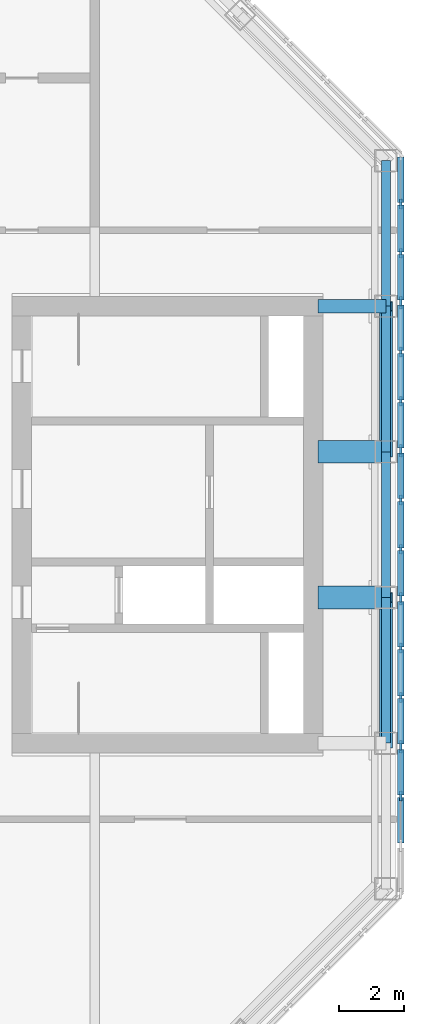
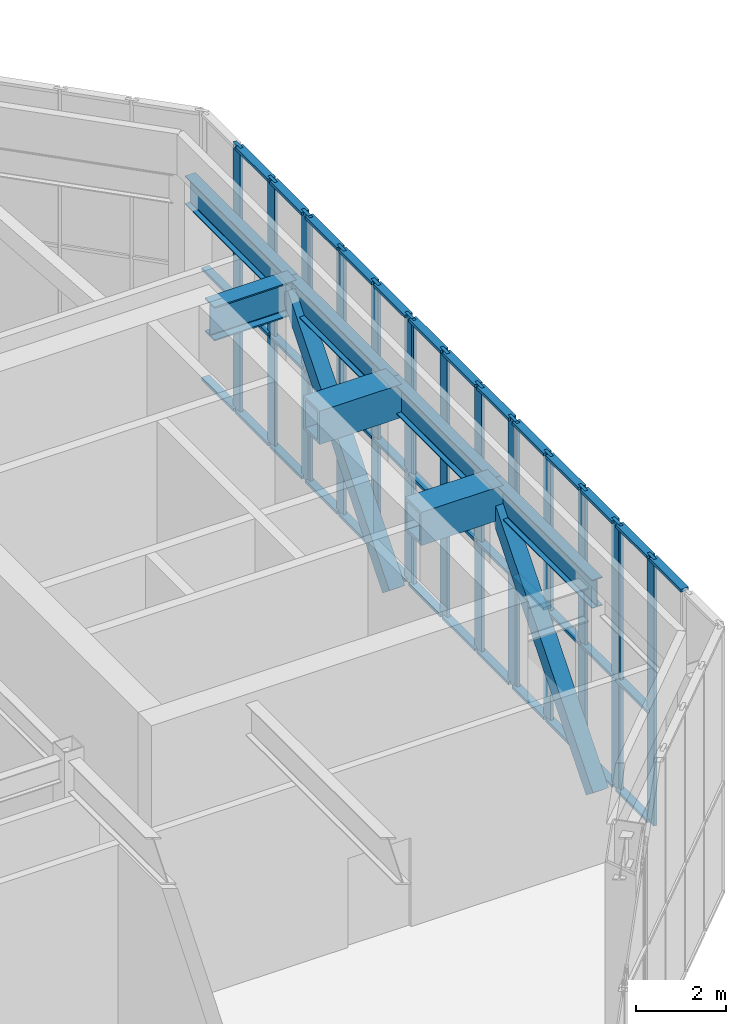
# One storey, part 6 of 15: 58 members, 7 beams, 5 elements without a shape of their own.
"""IFC4 building model written with IfcOpenShell, lengths in metres."""

import ifcopenshell
import ifcopenshell.guid

model = None  # the IFC model being written
_history = None  # IfcOwnerHistory: only IFC2X3 demands one
_inside = {}  # id of a spatial element -> (the spatial element, [elements in it])
_under = {}  # id of a project, library or spatial element -> (it, [spatial elements below it])
_declared = {}  # id of a project -> (the project, [libraries it declares])
_typed = {}  # id of a type object -> (the type object, [elements of that type])
_made_of = {}  # id of a material, layer set ... -> (it, [elements and type objects made of it])


def new_model(schema):
    """Start an empty IFC model of exactly this schema.

    Asked for "IFC4X3", IfcOpenShell would pick the latest addendum, in which some entities
    have other attributes; the version numbers below select the first issue.
    IFC2X3 requires an IfcOwnerHistory on every rooted entity: one is made here for all.
    """
    global model, _history
    if schema == "IFC4X3":
        model = ifcopenshell.file(schema_version=(4, 3, 0, 0))
    else:
        model = ifcopenshell.file(schema=schema)
    _inside.clear()
    _under.clear()
    _declared.clear()
    _typed.clear()
    _made_of.clear()
    _history = None
    if model.schema == "IFC2X3":
        org = make("IfcOrganization", Name="unknown")
        user = make(
            "IfcPersonAndOrganization",
            ThePerson=make("IfcPerson", FamilyName="unknown"),
            TheOrganization=org,
        )
        app = make(
            "IfcApplication",
            ApplicationDeveloper=org,
            Version="unknown",
            ApplicationFullName="unknown",
            ApplicationIdentifier="unknown",
        )
        _history = make(
            "IfcOwnerHistory",
            OwningUser=user,
            OwningApplication=app,
            ChangeAction="ADDED",
            CreationDate=0,
        )
    return model


def make(cls, **values):
    """One entity of the class cls with the attributes given. An attribute that is None is left unset."""
    return model.create_entity(
        cls, **{name: value for name, value in values.items() if value is not None}
    )


def rooted(cls, **values):
    """An entity with a GlobalId (a new one), such as an element, a storey or a relation."""
    return make(cls, GlobalId=ifcopenshell.guid.new(), OwnerHistory=_history, **values)


def si_unit(unit_type, name, prefix=None):
    """IfcSIUnit, for example si_unit("LENGTHUNIT", "METRE", prefix="MILLI")."""
    return make("IfcSIUnit", UnitType=unit_type, Prefix=prefix, Name=name)


def assignment(units):
    """IfcUnitAssignment: the units of a project."""
    return None if units is None else make("IfcUnitAssignment", Units=units)


def point(xyz):
    """IfcCartesianPoint."""
    return None if xyz is None else make("IfcCartesianPoint", Coordinates=xyz)


def direction(xyz):
    """IfcDirection."""
    return None if xyz is None else make("IfcDirection", DirectionRatios=xyz)


def frame(location, z_axis=None, x_axis=None):
    """IfcAxis2Placement3D, a coordinate frame: its origin and axes. An axis left out is left unset."""
    return make(
        "IfcAxis2Placement3D",
        Location=point(location),
        Axis=direction(z_axis),
        RefDirection=direction(x_axis),
    )


def frame_2d(location, x_axis=None):
    """IfcAxis2Placement2D, a coordinate frame in the plane: its origin and x axis."""
    return make(
        "IfcAxis2Placement2D", Location=point(location), RefDirection=direction(x_axis)
    )


def origin():
    """The frame at (0, 0, 0) with its axes left unset."""
    return frame((0.0, 0.0, 0.0))


def origin_2d():
    """The frame at (0, 0) in the plane with its x axis left unset."""
    return frame_2d((0.0, 0.0))


def place(relative_to, where):
    """IfcLocalPlacement: puts the frame where relative to a parent placement (None: the world)."""
    return make(
        "IfcLocalPlacement", PlacementRelTo=relative_to, RelativePlacement=where
    )


def context(
    kind, dimensions, precision=None, world=None, true_north=None, identifier=None
):
    """IfcGeometricRepresentationContext, for example the 3D "Model" context."""
    return make(
        "IfcGeometricRepresentationContext",
        ContextIdentifier=identifier,
        ContextType=kind,
        CoordinateSpaceDimension=dimensions,
        Precision=precision,
        WorldCoordinateSystem=world,
        TrueNorth=true_north,
    )


def subcontext(parent, identifier, kind, view, scale=None):
    """IfcGeometricRepresentationSubContext, for example "Body" below "Model"."""
    return make(
        "IfcGeometricRepresentationSubContext",
        ContextIdentifier=identifier,
        ContextType=kind,
        ParentContext=parent,
        TargetScale=scale,
        TargetView=view,
    )


def project(units=None, contexts=None):
    """IfcProject with its units and contexts."""
    return rooted(
        "IfcProject",
        Name="project",
        RepresentationContexts=contexts,
        UnitsInContext=assignment(units),
    )


def spatial(cls, under=None, at=None, **own):
    """A site, building, storey or space (cls), placed at a placement, below another one or the project."""
    s = rooted(cls, ObjectPlacement=at, **own)
    if under is not None:
        _under.setdefault(under.id(), (under, []))[1].append(s)
    return s


def profile(cls, at=None, kind="AREA", **sizes):
    """A parametric profile (cls). Its sizes go by their IFC names, for example OverallWidth=200.0."""
    return make(cls, ProfileType=kind, Position=at, **sizes)


def rectangle(**sizes):
    """IfcRectangleProfileDef."""
    return profile("IfcRectangleProfileDef", **sizes)


def hollow_rectangle(**sizes):
    """IfcRectangleHollowProfileDef."""
    return profile("IfcRectangleHollowProfileDef", **sizes)


def i_section(**sizes):
    """IfcIShapeProfileDef."""
    return profile("IfcIShapeProfileDef", **sizes)


def extrude(swept, where, along, depth):
    """IfcExtrudedAreaSolid: the profile swept, set in the frame where, extruded along a direction by depth."""
    return make(
        "IfcExtrudedAreaSolid",
        SweptArea=swept,
        Position=where,
        ExtrudedDirection=direction(along),
        Depth=depth,
    )


def shape(context_of_items, identifier, shape_type, items):
    """IfcShapeRepresentation: the items that make up one representation, for example the "Body"."""
    return make(
        "IfcShapeRepresentation",
        ContextOfItems=context_of_items,
        RepresentationIdentifier=identifier,
        RepresentationType=shape_type,
        Items=items,
    )


def material(Name=None, Category=None):
    """IfcMaterial."""
    return make("IfcMaterial", Name=Name, Category=Category)


def material_profile(
    of_material, cross_section, Name=None, Category=None, Priority=None
):
    """IfcMaterialProfile: a cross section and its material."""
    return make(
        "IfcMaterialProfile",
        Name=Name,
        Material=of_material,
        Profile=cross_section,
        Priority=Priority,
        Category=Category,
    )


def profile_set(profiles, Name=None, composite=None):
    """IfcMaterialProfileSet."""
    return make(
        "IfcMaterialProfileSet",
        Name=Name,
        MaterialProfiles=profiles,
        CompositeProfile=composite,
    )


def made_of(thing, what):
    """Note that an element or type object is made of a material, layer set ...; save() writes the relation."""
    if what is not None:
        _made_of.setdefault(what.id(), (what, []))[1].append(thing)
    return thing


def type_object(cls, material=None, **own):
    """A type object (cls), such as IfcWallType, which elements share."""
    return made_of(rooted(cls, **own), material)


def element(
    cls,
    number,
    at=None,
    inside=None,
    cuts=None,
    type_object=None,
    material=None,
    context=None,
    identifier="Body",
    shape_type=None,
    held_by="IfcProductDefinitionShape",
    body=None,
    shapes=None,
    **own,
):
    """One element of the class cls, such as IfcWall. Its Tag is "e" and its number.

    at: its placement. inside: the storey or other place that contains it. cuts: it is an
    opening in that element (IfcRelVoidsElement). A single representation is given by context,
    identifier, shape_type and body (its items); several are given by shapes. held_by: the class
    of the entity that holds the representations. save() writes the other relations.
    """
    e = rooted(cls, Tag="e%d" % number, ObjectPlacement=at, **own)
    if body is not None:
        shapes = [shape(context, identifier, shape_type, body)]
    if shapes is not None:
        e.Representation = make(held_by, Representations=shapes)
    if inside is not None:
        _inside.setdefault(inside.id(), (inside, []))[1].append(e)
    if cuts is not None:
        rooted(
            "IfcRelVoidsElement", RelatingBuildingElement=cuts, RelatedOpeningElement=e
        )
    if type_object is not None:
        _typed.setdefault(type_object.id(), (type_object, []))[1].append(e)
    return made_of(e, material)


def aggregate(whole, parts):
    """IfcRelAggregates: a whole, such as a stair, and the parts it consists of."""
    return rooted("IfcRelAggregates", RelatingObject=whole, RelatedObjects=parts)


def save(model, path):
    """Write the relations noted so far, then the file.

    IfcRelAggregates (storeys below a building ...), IfcRelContainedInSpatialStructure (elements
    in a storey), IfcRelDefinesByType, IfcRelAssociatesMaterial and IfcRelDeclares: one each for
    every whole, place, type object, material and project.
    """
    for whole, parts in _under.values():
        aggregate(whole, parts)
    for where, things in _inside.values():
        rooted(
            "IfcRelContainedInSpatialStructure",
            RelatedElements=things,
            RelatingStructure=where,
        )
    for kind, things in _typed.values():
        rooted("IfcRelDefinesByType", RelatedObjects=things, RelatingType=kind)
    for what, things in _made_of.values():
        rooted("IfcRelAssociatesMaterial", RelatedObjects=things, RelatingMaterial=what)
    for by, libraries in _declared.values():
        rooted("IfcRelDeclares", RelatingContext=by, RelatedDefinitions=libraries)
    model.write(path)


model = new_model("IFC4")

# Units and contexts
model_context = context("Model", 3, precision=1e-05, world=origin(), true_north=direction((0.0, 1.0)))
body_context = subcontext(model_context, "Body", "Model", "MODEL_VIEW")
ifc_project = project(units=[si_unit("LENGTHUNIT", "METRE"), si_unit("AREAUNIT", "SQUARE_METRE"), si_unit("VOLUMEUNIT", "CUBIC_METRE"), si_unit("PLANEANGLEUNIT", "RADIAN"), si_unit("MASSUNIT", "GRAM", prefix="KILO")], contexts=[model_context])

# Site, building, storey
site_placement = place(None, origin())
site = spatial("IfcSite", under=ifc_project, at=site_placement, CompositionType="ELEMENT")
building_placement = place(site_placement, origin())
building = spatial("IfcBuilding", under=site, at=building_placement, Name="Msasa Ring Tower", CompositionType="ELEMENT")
storey_placement = place(building_placement, frame((0.0, 0.0, 268.050048828125)))
storey = spatial("IfcBuildingStorey", under=building, at=storey_placement, Name="L69", CompositionType="ELEMENT", Elevation=268.050048828125)

# Curtain wall, members
ifc_material_1 = material(Name="Aluminium curtain wall with clear glass", Category="aluminium")
curtain_wall_type_1 = type_object("IfcCurtainWallType", Name="CW-L LANTERN CURTAIN WALL", PredefinedType="NOTDEFINED", material=ifc_material_1)
curtain_wall_1_placement = place(storey_placement, origin())
curtain_wall_1 = element("IfcCurtainWall", 1, at=curtain_wall_1_placement, inside=storey, type_object=curtain_wall_type_1, Name="Lantern curtain wall E2 L69", PredefinedType="NOTDEFINED")
ifc_material_2 = material(Name="Aluminium mullion", Category="aluminium")
ifc_material_profile_1 = material_profile(ifc_material_2, rectangle(XDim=0.080078125, YDim=0.300048828125, at=origin_2d()), Name="AL 80x300")
ifc_profile_set_1 = profile_set([ifc_material_profile_1], Name="Aluminium mullion")
member_type_1 = type_object("IfcMemberType", Name="CW-L MULLION 80x300", PredefinedType="MULLION", material=ifc_profile_set_1)
member_1_placement = place(storey_placement, frame((20.699951171875, -8.38671875, 0.0), z_axis=(0.0, 0.0, 1.0), x_axis=(-1.0, 0.0, 0.0)))
member_1 = element("IfcMember", 2, at=member_1_placement, type_object=member_type_1, Name="CW-L mullion 2", PredefinedType="MULLION", context=body_context, shape_type="SweptSolid", body=[
    extrude(rectangle(XDim=0.080078125, YDim=0.300048828125, at=origin_2d()), origin(), (0.0, 0.0, 1.0), 7.199951171875),
])
member_2_placement = place(storey_placement, frame((20.699951171875, -6.90185546875, 0.0), z_axis=(0.0, 0.0, 1.0), x_axis=(-1.0, 0.0, 0.0)))
member_2 = element("IfcMember", 3, at=member_2_placement, type_object=member_type_1, Name="CW-L mullion 3", PredefinedType="MULLION", context=body_context, shape_type="SweptSolid", body=[
    extrude(rectangle(XDim=0.080078125, YDim=0.300048828125, at=origin_2d()), origin(), (0.0, 0.0, 1.0), 7.199951171875),
])

curtain_wall_2_placement = place(storey_placement, origin())
curtain_wall_2 = element("IfcCurtainWall", 4, at=curtain_wall_2_placement, inside=storey, type_object=curtain_wall_type_1, Name="Lantern curtain wall E4 L69", PredefinedType="NOTDEFINED")
member_3_placement = place(storey_placement, frame((20.699951171875, -2.247314453125, 0.0), z_axis=(0.0, 0.0, 1.0), x_axis=(-1.0, 0.0, 0.0)))
member_3 = element("IfcMember", 5, at=member_3_placement, type_object=member_type_1, Name="CW-L mullion 1", PredefinedType="MULLION", context=body_context, shape_type="SweptSolid", body=[
    extrude(rectangle(XDim=0.080078125, YDim=0.300048828125, at=origin_2d()), origin(), (0.0, 0.0, 1.0), 7.199951171875),
])
member_4_placement = place(storey_placement, frame((20.699951171875, -0.762451171875, 0.0), z_axis=(0.0, 0.0, 1.0), x_axis=(-1.0, 0.0, 0.0)))
member_4 = element("IfcMember", 6, at=member_4_placement, type_object=member_type_1, Name="CW-L mullion 2", PredefinedType="MULLION", context=body_context, shape_type="SweptSolid", body=[
    extrude(rectangle(XDim=0.080078125, YDim=0.300048828125, at=origin_2d()), origin(), (0.0, 0.0, 1.0), 7.199951171875),
])
member_5_placement = place(storey_placement, frame((20.699951171875, 0.762451171875, 0.0), z_axis=(0.0, 0.0, 1.0), x_axis=(-1.0, 0.0, 0.0)))
member_5 = element("IfcMember", 7, at=member_5_placement, type_object=member_type_1, Name="CW-L mullion 3", PredefinedType="MULLION", context=body_context, shape_type="SweptSolid", body=[
    extrude(rectangle(XDim=0.080078125, YDim=0.300048828125, at=origin_2d()), origin(), (0.0, 0.0, 1.0), 7.199951171875),
])
member_6_placement = place(storey_placement, frame((20.699951171875, 2.247314453125, 0.0), z_axis=(0.0, 0.0, 1.0), x_axis=(-1.0, 0.0, 0.0)))
member_6 = element("IfcMember", 8, at=member_6_placement, type_object=member_type_1, Name="CW-L mullion 4", PredefinedType="MULLION", context=body_context, shape_type="SweptSolid", body=[
    extrude(rectangle(XDim=0.080078125, YDim=0.300048828125, at=origin_2d()), origin(), (0.0, 0.0, 1.0), 7.199951171875),
])

curtain_wall_3_placement = place(storey_placement, origin())
curtain_wall_3 = element("IfcCurtainWall", 9, at=curtain_wall_3_placement, inside=storey, type_object=curtain_wall_type_1, Name="Lantern curtain wall E6 L69", PredefinedType="NOTDEFINED")
member_7_placement = place(storey_placement, frame((20.699951171875, 6.90185546875, 0.0), z_axis=(0.0, 0.0, 1.0), x_axis=(-1.0, 0.0, 0.0)))
member_7 = element("IfcMember", 10, at=member_7_placement, type_object=member_type_1, Name="CW-L mullion 1", PredefinedType="MULLION", context=body_context, shape_type="SweptSolid", body=[
    extrude(rectangle(XDim=0.080078125, YDim=0.300048828125, at=origin_2d()), origin(), (0.0, 0.0, 1.0), 7.199951171875),
])
member_8_placement = place(storey_placement, frame((20.699951171875, 8.38671875, 0.0), z_axis=(0.0, 0.0, 1.0), x_axis=(-1.0, 0.0, 0.0)))
member_8 = element("IfcMember", 11, at=member_8_placement, type_object=member_type_1, Name="CW-L mullion 2", PredefinedType="MULLION", context=body_context, shape_type="SweptSolid", body=[
    extrude(rectangle(XDim=0.080078125, YDim=0.300048828125, at=origin_2d()), origin(), (0.0, 0.0, 1.0), 7.199951171875),
])
member_9_placement = place(storey_placement, frame((20.699951171875, 9.91162109375, 0.0), z_axis=(0.0, 0.0, 1.0), x_axis=(-1.0, 0.0, 0.0)))
member_9 = element("IfcMember", 12, at=member_9_placement, type_object=member_type_1, Name="CW-L mullion 3", PredefinedType="MULLION", context=body_context, shape_type="SweptSolid", body=[
    extrude(rectangle(XDim=0.080078125, YDim=0.300048828125, at=origin_2d()), origin(), (0.0, 0.0, 1.0), 7.199951171875),
])

# Member
ifc_material_3 = material(Name="Aluminium transom", Category="aluminium")
ifc_material_profile_2 = material_profile(ifc_material_3, rectangle(XDim=0.199951171875, YDim=0.080078125, at=origin_2d()), Name="AL 80x200")
ifc_profile_set_2 = profile_set([ifc_material_profile_2], Name="Aluminium transom")
member_type_2 = type_object("IfcMemberType", Name="CW-L TRANSOM 80x200", PredefinedType="USERDEFINED", material=ifc_profile_set_2)
member_10_placement = place(storey_placement, frame((20.699951171875, -9.83154296875, 7.159912109375), z_axis=(0.0, 1.0, 0.0), x_axis=(-1.0, 0.0, 0.0)))
member_10 = element("IfcMember", 13, at=member_10_placement, type_object=member_type_2, Name="CW-L transom 1.3", ObjectType="TRANSOM", PredefinedType="USERDEFINED", context=body_context, shape_type="SweptSolid", body=[
    extrude(rectangle(XDim=0.199951171875, YDim=0.080078125, at=origin_2d()), origin(), (0.0, 0.0, 1.0), 1.40478515625),
])

member_11_placement = place(storey_placement, frame((20.699951171875, -8.3466796875, 0.0400390625), z_axis=(0.0, 1.0, 0.0), x_axis=(-1.0, 0.0, 0.0)))
member_11 = element("IfcMember", 14, at=member_11_placement, type_object=member_type_2, Name="CW-L transom 2.1", ObjectType="TRANSOM", PredefinedType="USERDEFINED", context=body_context, shape_type="SweptSolid", body=[
    extrude(rectangle(XDim=0.199951171875, YDim=0.080078125, at=origin_2d()), origin(), (0.0, 0.0, 1.0), 1.40478515625),
])

member_12_placement = place(storey_placement, frame((20.699951171875, -8.3466796875, 3.0), z_axis=(0.0, 1.0, 0.0), x_axis=(-1.0, 0.0, 0.0)))
member_12 = element("IfcMember", 15, at=member_12_placement, type_object=member_type_2, Name="CW-L transom 2.2", ObjectType="TRANSOM", PredefinedType="USERDEFINED", context=body_context, shape_type="SweptSolid", body=[
    extrude(rectangle(XDim=0.199951171875, YDim=0.080078125, at=origin_2d()), origin(), (0.0, 0.0, 1.0), 1.40478515625),
])

member_13_placement = place(storey_placement, frame((20.699951171875, -8.3466796875, 7.159912109375), z_axis=(0.0, 1.0, 0.0), x_axis=(-1.0, 0.0, 0.0)))
member_13 = element("IfcMember", 16, at=member_13_placement, type_object=member_type_2, Name="CW-L transom 2.3", ObjectType="TRANSOM", PredefinedType="USERDEFINED", context=body_context, shape_type="SweptSolid", body=[
    extrude(rectangle(XDim=0.199951171875, YDim=0.080078125, at=origin_2d()), origin(), (0.0, 0.0, 1.0), 1.40478515625),
])

aggregate(curtain_wall_1, [member_1, member_2, member_10, member_11, member_12, member_13])

member_14_placement = place(storey_placement, frame((20.699951171875, -2.207275390625, 0.0400390625), z_axis=(0.0, 1.0, 0.0), x_axis=(-1.0, 0.0, 0.0)))
member_14 = element("IfcMember", 17, at=member_14_placement, type_object=member_type_2, Name="CW-L transom 1.1", ObjectType="TRANSOM", PredefinedType="USERDEFINED", context=body_context, shape_type="SweptSolid", body=[
    extrude(rectangle(XDim=0.199951171875, YDim=0.080078125, at=origin_2d()), origin(), (0.0, 0.0, 1.0), 1.40478515625),
])

member_15_placement = place(storey_placement, frame((20.699951171875, -2.207275390625, 3.0), z_axis=(0.0, 1.0, 0.0), x_axis=(-1.0, 0.0, 0.0)))
member_15 = element("IfcMember", 18, at=member_15_placement, type_object=member_type_2, Name="CW-L transom 1.2", ObjectType="TRANSOM", PredefinedType="USERDEFINED", context=body_context, shape_type="SweptSolid", body=[
    extrude(rectangle(XDim=0.199951171875, YDim=0.080078125, at=origin_2d()), origin(), (0.0, 0.0, 1.0), 1.40478515625),
])

member_16_placement = place(storey_placement, frame((20.699951171875, -2.207275390625, 7.159912109375), z_axis=(0.0, 1.0, 0.0), x_axis=(-1.0, 0.0, 0.0)))
member_16 = element("IfcMember", 19, at=member_16_placement, type_object=member_type_2, Name="CW-L transom 1.3", ObjectType="TRANSOM", PredefinedType="USERDEFINED", context=body_context, shape_type="SweptSolid", body=[
    extrude(rectangle(XDim=0.199951171875, YDim=0.080078125, at=origin_2d()), origin(), (0.0, 0.0, 1.0), 1.40478515625),
])

member_17_placement = place(storey_placement, frame((20.699951171875, -0.722412109375, 0.0400390625), z_axis=(0.0, 1.0, 0.0), x_axis=(-1.0, 0.0, 0.0)))
member_17 = element("IfcMember", 20, at=member_17_placement, type_object=member_type_2, Name="CW-L transom 2.1", ObjectType="TRANSOM", PredefinedType="USERDEFINED", context=body_context, shape_type="SweptSolid", body=[
    extrude(rectangle(XDim=0.199951171875, YDim=0.080078125, at=origin_2d()), origin(), (0.0, 0.0, 1.0), 1.44482421875),
])

member_18_placement = place(storey_placement, frame((20.699951171875, -0.722412109375, 3.0), z_axis=(0.0, 1.0, 0.0), x_axis=(-1.0, 0.0, 0.0)))
member_18 = element("IfcMember", 21, at=member_18_placement, type_object=member_type_2, Name="CW-L transom 2.2", ObjectType="TRANSOM", PredefinedType="USERDEFINED", context=body_context, shape_type="SweptSolid", body=[
    extrude(rectangle(XDim=0.199951171875, YDim=0.080078125, at=origin_2d()), origin(), (0.0, 0.0, 1.0), 1.44482421875),
])

member_19_placement = place(storey_placement, frame((20.699951171875, -0.722412109375, 7.159912109375), z_axis=(0.0, 1.0, 0.0), x_axis=(-1.0, 0.0, 0.0)))
member_19 = element("IfcMember", 22, at=member_19_placement, type_object=member_type_2, Name="CW-L transom 2.3", ObjectType="TRANSOM", PredefinedType="USERDEFINED", context=body_context, shape_type="SweptSolid", body=[
    extrude(rectangle(XDim=0.199951171875, YDim=0.080078125, at=origin_2d()), origin(), (0.0, 0.0, 1.0), 1.44482421875),
])

member_20_placement = place(storey_placement, frame((20.699951171875, 0.802490234375, 0.0400390625), z_axis=(0.0, 1.0, 0.0), x_axis=(-1.0, 0.0, 0.0)))
member_20 = element("IfcMember", 23, at=member_20_placement, type_object=member_type_2, Name="CW-L transom 3.1", ObjectType="TRANSOM", PredefinedType="USERDEFINED", context=body_context, shape_type="SweptSolid", body=[
    extrude(rectangle(XDim=0.199951171875, YDim=0.080078125, at=origin_2d()), origin(), (0.0, 0.0, 1.0), 1.40478515625),
])

member_21_placement = place(storey_placement, frame((20.699951171875, 0.802490234375, 3.0), z_axis=(0.0, 1.0, 0.0), x_axis=(-1.0, 0.0, 0.0)))
member_21 = element("IfcMember", 24, at=member_21_placement, type_object=member_type_2, Name="CW-L transom 3.2", ObjectType="TRANSOM", PredefinedType="USERDEFINED", context=body_context, shape_type="SweptSolid", body=[
    extrude(rectangle(XDim=0.199951171875, YDim=0.080078125, at=origin_2d()), origin(), (0.0, 0.0, 1.0), 1.40478515625),
])

member_22_placement = place(storey_placement, frame((20.699951171875, 0.802490234375, 7.159912109375), z_axis=(0.0, 1.0, 0.0), x_axis=(-1.0, 0.0, 0.0)))
member_22 = element("IfcMember", 25, at=member_22_placement, type_object=member_type_2, Name="CW-L transom 3.3", ObjectType="TRANSOM", PredefinedType="USERDEFINED", context=body_context, shape_type="SweptSolid", body=[
    extrude(rectangle(XDim=0.199951171875, YDim=0.080078125, at=origin_2d()), origin(), (0.0, 0.0, 1.0), 1.40478515625),
])

aggregate(curtain_wall_2, [member_3, member_4, member_5, member_6, member_14, member_15, member_16, member_17, member_18, member_19, member_20, member_21, member_22])

member_23_placement = place(storey_placement, frame((20.699951171875, 6.94189453125, 0.0400390625), z_axis=(0.0, 1.0, 0.0), x_axis=(-1.0, 0.0, 0.0)))
member_23 = element("IfcMember", 26, at=member_23_placement, type_object=member_type_2, Name="CW-L transom 1.1", ObjectType="TRANSOM", PredefinedType="USERDEFINED", context=body_context, shape_type="SweptSolid", body=[
    extrude(rectangle(XDim=0.199951171875, YDim=0.080078125, at=origin_2d()), origin(), (0.0, 0.0, 1.0), 1.40478515625),
])

member_24_placement = place(storey_placement, frame((20.699951171875, 6.94189453125, 3.0), z_axis=(0.0, 1.0, 0.0), x_axis=(-1.0, 0.0, 0.0)))
member_24 = element("IfcMember", 27, at=member_24_placement, type_object=member_type_2, Name="CW-L transom 1.2", ObjectType="TRANSOM", PredefinedType="USERDEFINED", context=body_context, shape_type="SweptSolid", body=[
    extrude(rectangle(XDim=0.199951171875, YDim=0.080078125, at=origin_2d()), origin(), (0.0, 0.0, 1.0), 1.40478515625),
])

member_25_placement = place(storey_placement, frame((20.699951171875, 6.94189453125, 7.159912109375), z_axis=(0.0, 1.0, 0.0), x_axis=(-1.0, 0.0, 0.0)))
member_25 = element("IfcMember", 28, at=member_25_placement, type_object=member_type_2, Name="CW-L transom 1.3", ObjectType="TRANSOM", PredefinedType="USERDEFINED", context=body_context, shape_type="SweptSolid", body=[
    extrude(rectangle(XDim=0.199951171875, YDim=0.080078125, at=origin_2d()), origin(), (0.0, 0.0, 1.0), 1.40478515625),
])

member_26_placement = place(storey_placement, frame((20.699951171875, 8.4267578125, 0.0400390625), z_axis=(0.0, 1.0, 0.0), x_axis=(-1.0, 0.0, 0.0)))
member_26 = element("IfcMember", 29, at=member_26_placement, type_object=member_type_2, Name="CW-L transom 2.1", ObjectType="TRANSOM", PredefinedType="USERDEFINED", context=body_context, shape_type="SweptSolid", body=[
    extrude(rectangle(XDim=0.199951171875, YDim=0.080078125, at=origin_2d()), origin(), (0.0, 0.0, 1.0), 1.44482421875),
])

member_27_placement = place(storey_placement, frame((20.699951171875, 8.4267578125, 3.0), z_axis=(0.0, 1.0, 0.0), x_axis=(-1.0, 0.0, 0.0)))
member_27 = element("IfcMember", 30, at=member_27_placement, type_object=member_type_2, Name="CW-L transom 2.2", ObjectType="TRANSOM", PredefinedType="USERDEFINED", context=body_context, shape_type="SweptSolid", body=[
    extrude(rectangle(XDim=0.199951171875, YDim=0.080078125, at=origin_2d()), origin(), (0.0, 0.0, 1.0), 1.44482421875),
])

member_28_placement = place(storey_placement, frame((20.699951171875, 8.4267578125, 7.159912109375), z_axis=(0.0, 1.0, 0.0), x_axis=(-1.0, 0.0, 0.0)))
member_28 = element("IfcMember", 31, at=member_28_placement, type_object=member_type_2, Name="CW-L transom 2.3", ObjectType="TRANSOM", PredefinedType="USERDEFINED", context=body_context, shape_type="SweptSolid", body=[
    extrude(rectangle(XDim=0.199951171875, YDim=0.080078125, at=origin_2d()), origin(), (0.0, 0.0, 1.0), 1.44482421875),
])

member_29_placement = place(storey_placement, frame((20.699951171875, 9.951416015625, 0.0400390625), z_axis=(0.0, 1.0, 0.0), x_axis=(-1.0, 0.0, 0.0)))
member_29 = element("IfcMember", 32, at=member_29_placement, type_object=member_type_2, Name="CW-L transom 3.1", ObjectType="TRANSOM", PredefinedType="USERDEFINED", context=body_context, shape_type="SweptSolid", body=[
    extrude(rectangle(XDim=0.199951171875, YDim=0.080078125, at=origin_2d()), origin(), (0.0, 0.0, 1.0), 1.405029296875),
])

member_30_placement = place(storey_placement, frame((20.699951171875, 9.951416015625, 3.0), z_axis=(0.0, 1.0, 0.0), x_axis=(-1.0, 0.0, 0.0)))
member_30 = element("IfcMember", 33, at=member_30_placement, type_object=member_type_2, Name="CW-L transom 3.2", ObjectType="TRANSOM", PredefinedType="USERDEFINED", context=body_context, shape_type="SweptSolid", body=[
    extrude(rectangle(XDim=0.199951171875, YDim=0.080078125, at=origin_2d()), origin(), (0.0, 0.0, 1.0), 1.405029296875),
])

aggregate(curtain_wall_3, [member_7, member_8, member_9, member_23, member_24, member_25, member_26, member_27, member_28, member_29, member_30])

# Curtain wall, members
ifc_material_4 = material(Name="Aluminium curtain wall with insulated terracotta-faced panels", Category="masonry")
curtain_wall_type_2 = type_object("IfcCurtainWallType", Name="CW-O OPAQUE LANTERN CURTAIN WALL", PredefinedType="NOTDEFINED", material=ifc_material_4)
curtain_wall_4_placement = place(storey_placement, origin())
curtain_wall_4 = element("IfcCurtainWall", 34, at=curtain_wall_4_placement, inside=storey, type_object=curtain_wall_type_2, Name="Lantern opaque curtain wall E3 L69", PredefinedType="NOTDEFINED")
ifc_material_5 = material(Name="Aluminium mullion", Category="aluminium")
ifc_material_profile_3 = material_profile(ifc_material_5, rectangle(XDim=0.080078125, YDim=0.300048828125, at=origin_2d()), Name="AL 80x300")
ifc_profile_set_3 = profile_set([ifc_material_profile_3], Name="Aluminium mullion")
member_type_3 = type_object("IfcMemberType", Name="CW-O MULLION 80x300", PredefinedType="MULLION", material=ifc_profile_set_3)
member_31_placement = place(storey_placement, frame((20.699951171875, -6.82177734375, 0.0), z_axis=(0.0, 0.0, 1.0), x_axis=(-1.0, 0.0, 0.0)))
member_31 = element("IfcMember", 35, at=member_31_placement, type_object=member_type_3, Name="CW-O mullion 1", PredefinedType="MULLION", context=body_context, shape_type="SweptSolid", body=[
    extrude(rectangle(XDim=0.080078125, YDim=0.300048828125, at=origin_2d()), origin(), (0.0, 0.0, 1.0), 7.199951171875),
])
member_32_placement = place(storey_placement, frame((20.699951171875, -5.3369140625, 0.0), z_axis=(0.0, 0.0, 1.0), x_axis=(-1.0, 0.0, 0.0)))
member_32 = element("IfcMember", 36, at=member_32_placement, type_object=member_type_3, Name="CW-O mullion 2", PredefinedType="MULLION", context=body_context, shape_type="SweptSolid", body=[
    extrude(rectangle(XDim=0.080078125, YDim=0.300048828125, at=origin_2d()), origin(), (0.0, 0.0, 1.0), 7.199951171875),
])
member_33_placement = place(storey_placement, frame((20.699951171875, -3.81201171875, 0.0), z_axis=(0.0, 0.0, 1.0), x_axis=(-1.0, 0.0, 0.0)))
member_33 = element("IfcMember", 37, at=member_33_placement, type_object=member_type_3, Name="CW-O mullion 3", PredefinedType="MULLION", context=body_context, shape_type="SweptSolid", body=[
    extrude(rectangle(XDim=0.080078125, YDim=0.300048828125, at=origin_2d()), origin(), (0.0, 0.0, 1.0), 7.199951171875),
])
member_34_placement = place(storey_placement, frame((20.699951171875, -2.327392578125, 0.0), z_axis=(0.0, 0.0, 1.0), x_axis=(-1.0, 0.0, 0.0)))
member_34 = element("IfcMember", 38, at=member_34_placement, type_object=member_type_3, Name="CW-O mullion 4", PredefinedType="MULLION", context=body_context, shape_type="SweptSolid", body=[
    extrude(rectangle(XDim=0.080078125, YDim=0.300048828125, at=origin_2d()), origin(), (0.0, 0.0, 1.0), 7.199951171875),
])

curtain_wall_5_placement = place(storey_placement, origin())
curtain_wall_5 = element("IfcCurtainWall", 39, at=curtain_wall_5_placement, inside=storey, type_object=curtain_wall_type_2, Name="Lantern opaque curtain wall E5 L69", PredefinedType="NOTDEFINED")
member_35_placement = place(storey_placement, frame((20.699951171875, 2.327392578125, 0.0), z_axis=(0.0, 0.0, 1.0), x_axis=(-1.0, 0.0, 0.0)))
member_35 = element("IfcMember", 40, at=member_35_placement, type_object=member_type_3, Name="CW-O mullion 1", PredefinedType="MULLION", context=body_context, shape_type="SweptSolid", body=[
    extrude(rectangle(XDim=0.080078125, YDim=0.300048828125, at=origin_2d()), origin(), (0.0, 0.0, 1.0), 7.199951171875),
])
member_36_placement = place(storey_placement, frame((20.699951171875, 3.81201171875, 0.0), z_axis=(0.0, 0.0, 1.0), x_axis=(-1.0, 0.0, 0.0)))
member_36 = element("IfcMember", 41, at=member_36_placement, type_object=member_type_3, Name="CW-O mullion 2", PredefinedType="MULLION", context=body_context, shape_type="SweptSolid", body=[
    extrude(rectangle(XDim=0.080078125, YDim=0.300048828125, at=origin_2d()), origin(), (0.0, 0.0, 1.0), 7.199951171875),
])
member_37_placement = place(storey_placement, frame((20.699951171875, 5.3369140625, 0.0), z_axis=(0.0, 0.0, 1.0), x_axis=(-1.0, 0.0, 0.0)))
member_37 = element("IfcMember", 42, at=member_37_placement, type_object=member_type_3, Name="CW-O mullion 3", PredefinedType="MULLION", context=body_context, shape_type="SweptSolid", body=[
    extrude(rectangle(XDim=0.080078125, YDim=0.300048828125, at=origin_2d()), origin(), (0.0, 0.0, 1.0), 7.199951171875),
])
member_38_placement = place(storey_placement, frame((20.699951171875, 6.82177734375, 0.0), z_axis=(0.0, 0.0, 1.0), x_axis=(-1.0, 0.0, 0.0)))
member_38 = element("IfcMember", 43, at=member_38_placement, type_object=member_type_3, Name="CW-O mullion 4", PredefinedType="MULLION", context=body_context, shape_type="SweptSolid", body=[
    extrude(rectangle(XDim=0.080078125, YDim=0.300048828125, at=origin_2d()), origin(), (0.0, 0.0, 1.0), 7.199951171875),
])

# Member
ifc_material_6 = material(Name="Aluminium transom", Category="aluminium")
ifc_material_profile_4 = material_profile(ifc_material_6, rectangle(XDim=0.199951171875, YDim=0.080078125, at=origin_2d()), Name="AL 80x200")
ifc_profile_set_4 = profile_set([ifc_material_profile_4], Name="Aluminium transom")
member_type_4 = type_object("IfcMemberType", Name="CW-O TRANSOM 80x200", PredefinedType="USERDEFINED", material=ifc_profile_set_4)
member_39_placement = place(storey_placement, frame((20.699951171875, -6.78173828125, 0.0400390625), z_axis=(0.0, 1.0, 0.0), x_axis=(-1.0, 0.0, 0.0)))
member_39 = element("IfcMember", 44, at=member_39_placement, type_object=member_type_4, Name="CW-O transom 1.1", ObjectType="TRANSOM", PredefinedType="USERDEFINED", context=body_context, shape_type="SweptSolid", body=[
    extrude(rectangle(XDim=0.199951171875, YDim=0.080078125, at=origin_2d()), origin(), (0.0, 0.0, 1.0), 1.40478515625),
])

member_40_placement = place(storey_placement, frame((20.699951171875, -6.78173828125, 3.0), z_axis=(0.0, 1.0, 0.0), x_axis=(-1.0, 0.0, 0.0)))
member_40 = element("IfcMember", 45, at=member_40_placement, type_object=member_type_4, Name="CW-O transom 1.2", ObjectType="TRANSOM", PredefinedType="USERDEFINED", context=body_context, shape_type="SweptSolid", body=[
    extrude(rectangle(XDim=0.199951171875, YDim=0.080078125, at=origin_2d()), origin(), (0.0, 0.0, 1.0), 1.40478515625),
])

member_41_placement = place(storey_placement, frame((20.699951171875, -6.78173828125, 7.159912109375), z_axis=(0.0, 1.0, 0.0), x_axis=(-1.0, 0.0, 0.0)))
member_41 = element("IfcMember", 46, at=member_41_placement, type_object=member_type_4, Name="CW-O transom 1.3", ObjectType="TRANSOM", PredefinedType="USERDEFINED", context=body_context, shape_type="SweptSolid", body=[
    extrude(rectangle(XDim=0.199951171875, YDim=0.080078125, at=origin_2d()), origin(), (0.0, 0.0, 1.0), 1.40478515625),
])

member_42_placement = place(storey_placement, frame((20.699951171875, -5.296875, 0.0400390625), z_axis=(0.0, 1.0, 0.0), x_axis=(-1.0, 0.0, 0.0)))
member_42 = element("IfcMember", 47, at=member_42_placement, type_object=member_type_4, Name="CW-O transom 2.1", ObjectType="TRANSOM", PredefinedType="USERDEFINED", context=body_context, shape_type="SweptSolid", body=[
    extrude(rectangle(XDim=0.199951171875, YDim=0.080078125, at=origin_2d()), origin(), (0.0, 0.0, 1.0), 1.44482421875),
])

member_43_placement = place(storey_placement, frame((20.699951171875, -5.296875, 3.0), z_axis=(0.0, 1.0, 0.0), x_axis=(-1.0, 0.0, 0.0)))
member_43 = element("IfcMember", 48, at=member_43_placement, type_object=member_type_4, Name="CW-O transom 2.2", ObjectType="TRANSOM", PredefinedType="USERDEFINED", context=body_context, shape_type="SweptSolid", body=[
    extrude(rectangle(XDim=0.199951171875, YDim=0.080078125, at=origin_2d()), origin(), (0.0, 0.0, 1.0), 1.44482421875),
])

member_44_placement = place(storey_placement, frame((20.699951171875, -5.296875, 7.159912109375), z_axis=(0.0, 1.0, 0.0), x_axis=(-1.0, 0.0, 0.0)))
member_44 = element("IfcMember", 49, at=member_44_placement, type_object=member_type_4, Name="CW-O transom 2.3", ObjectType="TRANSOM", PredefinedType="USERDEFINED", context=body_context, shape_type="SweptSolid", body=[
    extrude(rectangle(XDim=0.199951171875, YDim=0.080078125, at=origin_2d()), origin(), (0.0, 0.0, 1.0), 1.44482421875),
])

member_45_placement = place(storey_placement, frame((20.699951171875, -3.772216796875, 0.0400390625), z_axis=(0.0, 1.0, 0.0), x_axis=(-1.0, 0.0, 0.0)))
member_45 = element("IfcMember", 50, at=member_45_placement, type_object=member_type_4, Name="CW-O transom 3.1", ObjectType="TRANSOM", PredefinedType="USERDEFINED", context=body_context, shape_type="SweptSolid", body=[
    extrude(rectangle(XDim=0.199951171875, YDim=0.080078125, at=origin_2d()), origin(), (0.0, 0.0, 1.0), 1.405029296875),
])

member_46_placement = place(storey_placement, frame((20.699951171875, -3.772216796875, 3.0), z_axis=(0.0, 1.0, 0.0), x_axis=(-1.0, 0.0, 0.0)))
member_46 = element("IfcMember", 51, at=member_46_placement, type_object=member_type_4, Name="CW-O transom 3.2", ObjectType="TRANSOM", PredefinedType="USERDEFINED", context=body_context, shape_type="SweptSolid", body=[
    extrude(rectangle(XDim=0.199951171875, YDim=0.080078125, at=origin_2d()), origin(), (0.0, 0.0, 1.0), 1.405029296875),
])

member_47_placement = place(storey_placement, frame((20.699951171875, -3.772216796875, 7.159912109375), z_axis=(0.0, 1.0, 0.0), x_axis=(-1.0, 0.0, 0.0)))
member_47 = element("IfcMember", 52, at=member_47_placement, type_object=member_type_4, Name="CW-O transom 3.3", ObjectType="TRANSOM", PredefinedType="USERDEFINED", context=body_context, shape_type="SweptSolid", body=[
    extrude(rectangle(XDim=0.199951171875, YDim=0.080078125, at=origin_2d()), origin(), (0.0, 0.0, 1.0), 1.405029296875),
])

aggregate(curtain_wall_4, [member_31, member_32, member_33, member_34, member_39, member_40, member_41, member_42, member_43, member_44, member_45, member_46, member_47])

member_48_placement = place(storey_placement, frame((20.699951171875, 2.3671875, 0.0400390625), z_axis=(0.0, 1.0, 0.0), x_axis=(-1.0, 0.0, 0.0)))
member_48 = element("IfcMember", 53, at=member_48_placement, type_object=member_type_4, Name="CW-O transom 1.1", ObjectType="TRANSOM", PredefinedType="USERDEFINED", context=body_context, shape_type="SweptSolid", body=[
    extrude(rectangle(XDim=0.199951171875, YDim=0.080078125, at=origin_2d()), origin(), (0.0, 0.0, 1.0), 1.405029296875),
])

member_49_placement = place(storey_placement, frame((20.699951171875, 2.3671875, 3.0), z_axis=(0.0, 1.0, 0.0), x_axis=(-1.0, 0.0, 0.0)))
member_49 = element("IfcMember", 54, at=member_49_placement, type_object=member_type_4, Name="CW-O transom 1.2", ObjectType="TRANSOM", PredefinedType="USERDEFINED", context=body_context, shape_type="SweptSolid", body=[
    extrude(rectangle(XDim=0.199951171875, YDim=0.080078125, at=origin_2d()), origin(), (0.0, 0.0, 1.0), 1.405029296875),
])

member_50_placement = place(storey_placement, frame((20.699951171875, 2.3671875, 7.159912109375), z_axis=(0.0, 1.0, 0.0), x_axis=(-1.0, 0.0, 0.0)))
member_50 = element("IfcMember", 55, at=member_50_placement, type_object=member_type_4, Name="CW-O transom 1.3", ObjectType="TRANSOM", PredefinedType="USERDEFINED", context=body_context, shape_type="SweptSolid", body=[
    extrude(rectangle(XDim=0.199951171875, YDim=0.080078125, at=origin_2d()), origin(), (0.0, 0.0, 1.0), 1.405029296875),
])

member_51_placement = place(storey_placement, frame((20.699951171875, 3.85205078125, 0.0400390625), z_axis=(0.0, 1.0, 0.0), x_axis=(-1.0, 0.0, 0.0)))
member_51 = element("IfcMember", 56, at=member_51_placement, type_object=member_type_4, Name="CW-O transom 2.1", ObjectType="TRANSOM", PredefinedType="USERDEFINED", context=body_context, shape_type="SweptSolid", body=[
    extrude(rectangle(XDim=0.199951171875, YDim=0.080078125, at=origin_2d()), origin(), (0.0, 0.0, 1.0), 1.44482421875),
])

member_52_placement = place(storey_placement, frame((20.699951171875, 3.85205078125, 3.0), z_axis=(0.0, 1.0, 0.0), x_axis=(-1.0, 0.0, 0.0)))
member_52 = element("IfcMember", 57, at=member_52_placement, type_object=member_type_4, Name="CW-O transom 2.2", ObjectType="TRANSOM", PredefinedType="USERDEFINED", context=body_context, shape_type="SweptSolid", body=[
    extrude(rectangle(XDim=0.199951171875, YDim=0.080078125, at=origin_2d()), origin(), (0.0, 0.0, 1.0), 1.44482421875),
])

member_53_placement = place(storey_placement, frame((20.699951171875, 3.85205078125, 7.159912109375), z_axis=(0.0, 1.0, 0.0), x_axis=(-1.0, 0.0, 0.0)))
member_53 = element("IfcMember", 58, at=member_53_placement, type_object=member_type_4, Name="CW-O transom 2.3", ObjectType="TRANSOM", PredefinedType="USERDEFINED", context=body_context, shape_type="SweptSolid", body=[
    extrude(rectangle(XDim=0.199951171875, YDim=0.080078125, at=origin_2d()), origin(), (0.0, 0.0, 1.0), 1.44482421875),
])

member_54_placement = place(storey_placement, frame((20.699951171875, 5.376953125, 0.0400390625), z_axis=(0.0, 1.0, 0.0), x_axis=(-1.0, 0.0, 0.0)))
member_54 = element("IfcMember", 59, at=member_54_placement, type_object=member_type_4, Name="CW-O transom 3.1", ObjectType="TRANSOM", PredefinedType="USERDEFINED", context=body_context, shape_type="SweptSolid", body=[
    extrude(rectangle(XDim=0.199951171875, YDim=0.080078125, at=origin_2d()), origin(), (0.0, 0.0, 1.0), 1.40478515625),
])

member_55_placement = place(storey_placement, frame((20.699951171875, 5.376953125, 3.0), z_axis=(0.0, 1.0, 0.0), x_axis=(-1.0, 0.0, 0.0)))
member_55 = element("IfcMember", 60, at=member_55_placement, type_object=member_type_4, Name="CW-O transom 3.2", ObjectType="TRANSOM", PredefinedType="USERDEFINED", context=body_context, shape_type="SweptSolid", body=[
    extrude(rectangle(XDim=0.199951171875, YDim=0.080078125, at=origin_2d()), origin(), (0.0, 0.0, 1.0), 1.40478515625),
])

member_56_placement = place(storey_placement, frame((20.699951171875, 5.376953125, 7.159912109375), z_axis=(0.0, 1.0, 0.0), x_axis=(-1.0, 0.0, 0.0)))
member_56 = element("IfcMember", 61, at=member_56_placement, type_object=member_type_4, Name="CW-O transom 3.3", ObjectType="TRANSOM", PredefinedType="USERDEFINED", context=body_context, shape_type="SweptSolid", body=[
    extrude(rectangle(XDim=0.199951171875, YDim=0.080078125, at=origin_2d()), origin(), (0.0, 0.0, 1.0), 1.40478515625),
])

aggregate(curtain_wall_5, [member_35, member_36, member_37, member_38, member_48, member_49, member_50, member_51, member_52, member_53, member_54, member_55, member_56])

# Beams
ifc_material_7 = material(Name="Steel S355", Category="steel")
ifc_material_profile_5 = material_profile(ifc_material_7, hollow_rectangle(XDim=0.699951171875, YDim=0.89990234375, WallThickness=0.080078125, at=origin_2d()), Name="BOX 900x700x80")
ifc_profile_set_5 = profile_set([ifc_material_profile_5], Name="Steel S355")
beam_type_1 = type_object("IfcBeamType", Name="FB4 BOX 900x700x80", PredefinedType="BEAM", material=ifc_profile_set_5)
for number, where, z_axis, x_axis, name in (
    (62, (20.25, -2.25, 5.300048828125), (-1.0, 0.0, 0.0), (0.0, -1.0, 0.0), "Floor beam E -2.25 under roof"),
    (63, (20.25, 2.25, 5.300048828125), (-1.0, 0.0, 0.0), (0.0, -1.0, 0.0), "Floor beam E +2.25 under roof"),
):
    element("IfcBeam", number, at=place(storey_placement, frame(where, z_axis=z_axis, x_axis=x_axis)), inside=storey, type_object=beam_type_1, Name=name, PredefinedType="BEAM", context=body_context, shape_type="SweptSolid", body=[
        extrude(hollow_rectangle(XDim=0.699951171875, YDim=0.89990234375, WallThickness=0.080078125, at=origin_2d()), origin(), (0.0, 0.0, 1.0), 2.10009765625),
    ])
ifc_material_8 = material(Name="Steel S355", Category="steel")
ifc_material_profile_6 = material_profile(ifc_material_8, i_section(OverallWidth=0.42041015625, OverallDepth=0.9208984375, WebThickness=0.021484375, FlangeThickness=0.03662109375, FilletRadius=0.024169921875, at=origin_2d()), Name="UB 914x419x388")
ifc_profile_set_6 = profile_set([ifc_material_profile_6], Name="Steel S355")
beam_type_2 = type_object("IfcBeamType", Name="GB1 UB 914x419x388", PredefinedType="BEAM", material=ifc_profile_set_6)
beam_placement = place(storey_placement, frame((18.14990234375, 6.75, 5.28955078125), z_axis=(1.0, 0.0, 0.0), x_axis=(0.0, 1.0, 0.0)))
element("IfcBeam", 64, at=beam_placement, inside=storey, type_object=beam_type_2, Name="Girder E +6.75 under roof", PredefinedType="BEAM", context=body_context, shape_type="SweptSolid", body=[
    extrude(i_section(OverallWidth=0.42041015625, OverallDepth=0.9208984375, WebThickness=0.021484375, FlangeThickness=0.03662109375, FilletRadius=0.024169921875, at=origin_2d()), origin(), (0.0, 0.0, 1.0), 2.10009765625),
])

# Members
ifc_material_9 = material(Name="Steel S355", Category="steel")
ifc_material_profile_7 = material_profile(ifc_material_9, hollow_rectangle(XDim=0.39990234375, YDim=0.39990234375, WallThickness=0.02001953125, at=origin_2d()), Name="SHS 400x400x20")
ifc_profile_set_7 = profile_set([ifc_material_profile_7], Name="Steel S355")
member_type_5 = type_object("IfcMemberType", Name="HT1 SHS 400x400x20", PredefinedType="BRACE", material=ifc_profile_set_7)
for number, where, z_axis, x_axis, name in (
    (65, (20.25, -6.75, 0.0), (0.0, 0.642639992049, 0.766168284791), (-1.0, 0.0, 0.0), "Hat truss brace E-6.75 L69"),
    (66, (20.25, 2.25, 0.0), (0.0, 0.642639992049, 0.766168284791), (-1.0, 0.0, 0.0), "Hat truss brace E+2.25 L69"),
):
    element("IfcMember", number, at=place(storey_placement, frame(where, z_axis=z_axis, x_axis=x_axis)), inside=storey, type_object=member_type_5, Name=name, PredefinedType="BRACE", context=body_context, shape_type="SweptSolid", body=[
        extrude(hollow_rectangle(XDim=0.39990234375, YDim=0.39990234375, WallThickness=0.02001953125, at=origin_2d()), origin(), (0.0, 0.0, 1.0), 7.00244140625),
    ])

# Beams
ifc_material_10 = material(Name="Steel S355", Category="steel")
ifc_material_profile_8 = material_profile(ifc_material_10, i_section(OverallWidth=0.26806640625, OverallDepth=0.769775390625, WebThickness=0.015625, FlangeThickness=0.025390625, FilletRadius=0.0166015625, at=origin_2d()), Name="UB 762x267x197")
ifc_profile_set_8 = profile_set([ifc_material_profile_8], Name="Steel S355")
beam_type_3 = type_object("IfcBeamType", Name="SB4 UB 762x267x197", PredefinedType="SPANDREL", material=ifc_profile_set_8)
for number, where, z_axis, x_axis, name in (
    (67, (20.25, -6.75, 5.364990234375), (0.0, 1.0, 0.0), (-1.0, 0.0, 0.0), "Spandrel E-6.75 to E-2.25 under roof"),
    (68, (20.25, -2.25, 5.364990234375), (0.0, 1.0, 0.0), (-1.0, 0.0, 0.0), "Spandrel E-2.25 to E+2.25 under roof"),
    (69, (20.25, 2.25, 5.364990234375), (0.0, 1.0, 0.0), (-1.0, 0.0, 0.0), "Spandrel E+2.25 to E+6.75 under roof"),
    (70, (20.25, 6.75, 5.364990234375), (0.0, 1.0, 0.0), (-1.0, 0.0, 0.0), "Spandrel E+6.75 to E+11.25 under roof"),
):
    element("IfcBeam", number, at=place(storey_placement, frame(where, z_axis=z_axis, x_axis=x_axis)), inside=storey, type_object=beam_type_3, Name=name, PredefinedType="SPANDREL", context=body_context, shape_type="SweptSolid", body=[
        extrude(i_section(OverallWidth=0.26806640625, OverallDepth=0.769775390625, WebThickness=0.015625, FlangeThickness=0.025390625, FilletRadius=0.0166015625, at=origin_2d()), origin(), (0.0, 0.0, 1.0), 4.5),
    ])

save(model, "model.ifc")
